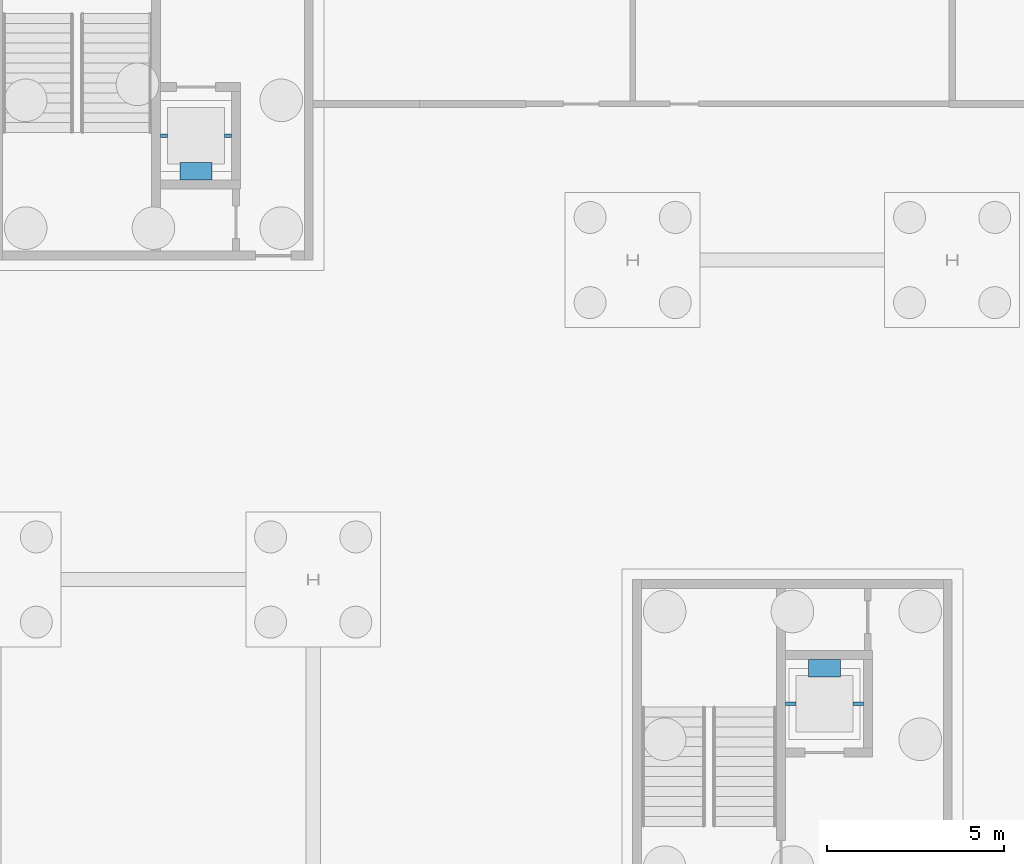
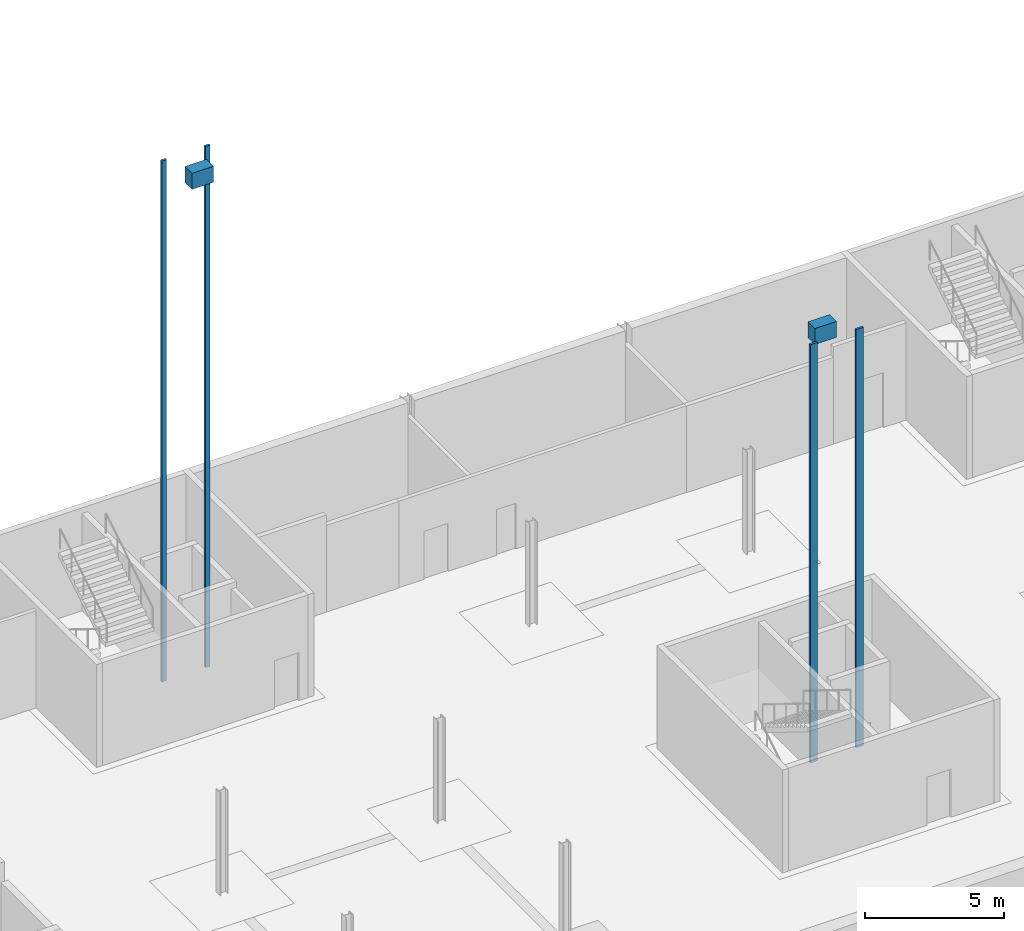
# One storey, part 35 of 41: 6 discrete accessories.
"""IFC4 building model written with IfcOpenShell, lengths in metres."""

from ifc_helpers import new_model, si_unit, direction, frame, origin, origin_2d, place, context, subcontext, project, spatial, rectangle, extrude, material, type_object, element, save


model = new_model("IFC4")

# Units and contexts
model_context = context("Model", 3, precision=1e-05, world=origin(), true_north=direction((0.0, 1.0)))
body_context = subcontext(model_context, "Body", "Model", "MODEL_VIEW")
ifc_project = project(units=[si_unit("LENGTHUNIT", "METRE"), si_unit("AREAUNIT", "SQUARE_METRE"), si_unit("VOLUMEUNIT", "CUBIC_METRE"), si_unit("PLANEANGLEUNIT", "RADIAN"), si_unit("MASSUNIT", "GRAM", prefix="KILO")], contexts=[model_context])

# Site, building, storey
site_placement = place(None, origin())
site = spatial("IfcSite", under=ifc_project, at=site_placement, CompositionType="ELEMENT")
building_placement = place(site_placement, origin())
building = spatial("IfcBuilding", under=site, at=building_placement, Name="Corbel Yard City Hall", CompositionType="ELEMENT")
storey_placement = place(building_placement, frame((0.0, 0.0, -4.5)))
storey = spatial("IfcBuildingStorey", under=building, at=storey_placement, Name="B1", CompositionType="ELEMENT", Elevation=-4.5)

# Discrete accessories
ifc_material = material(Name="Steel Grade G250", Category="steel")
discrete_accessory_type_1 = type_object("IfcDiscreteAccessoryType", Name="LM1", PredefinedType="USERDEFINED", material=ifc_material)
for number, where, z_axis, x_axis, name in (
    (1, (68.699951171875, 110.5, 22.10009765625), (0.0, 0.0, 1.0), (1.0, 0.0, 0.0), "Lift LP16 drive machine"),
    (2, (86.39990234375, 96.5, 17.60009765625), (0.0, 0.0, 1.0), (1.0, 0.0, 0.0), "Lift LP20 drive machine"),
):
    element("IfcDiscreteAccessory", number, at=place(storey_placement, frame(where, z_axis=z_axis, x_axis=x_axis)), inside=storey, type_object=discrete_accessory_type_1, Name=name, ObjectType="LIFT MACHINE", PredefinedType="USERDEFINED", context=body_context, shape_type="SweptSolid", body=[
        extrude(rectangle(XDim=0.89990234375, YDim=0.5, at=origin_2d()), origin(), (0.0, 0.0, 1.0), 0.699951171875),
    ])
discrete_accessory_type_2 = type_object("IfcDiscreteAccessoryType", Name="LR1", PredefinedType="USERDEFINED", material=ifc_material)
for number, where, z_axis, x_axis, name in (
    (3, (67.800048828125, 111.5, 0.0), (0.0, 0.0, 1.0), (1.0, 0.0, 0.0), "Lift LP16 guide rail 1"),
    (4, (69.60009765625, 111.5, 0.0), (0.0, 0.0, 1.0), (1.0, 0.0, 0.0), "Lift LP16 guide rail 2"),
):
    element("IfcDiscreteAccessory", number, at=place(storey_placement, frame(where, z_axis=z_axis, x_axis=x_axis)), inside=storey, type_object=discrete_accessory_type_2, Name=name, ObjectType="GUIDE RAIL", PredefinedType="USERDEFINED", context=body_context, shape_type="SweptSolid", body=[
        extrude(rectangle(XDim=0.199951171875, YDim=0.090087890625, at=origin_2d()), origin(), (0.0, 0.0, 1.0), 22.800048828125),
    ])
for number, where, z_axis, x_axis, name in (
    (5, (85.449951171875, 95.5, 0.0), (0.0, 0.0, 1.0), (1.0, 0.0, 0.0), "Lift LP20 guide rail 1"),
    (6, (87.35009765625, 95.5, 0.0), (0.0, 0.0, 1.0), (1.0, 0.0, 0.0), "Lift LP20 guide rail 2"),
):
    element("IfcDiscreteAccessory", number, at=place(storey_placement, frame(where, z_axis=z_axis, x_axis=x_axis)), inside=storey, type_object=discrete_accessory_type_2, Name=name, ObjectType="GUIDE RAIL", PredefinedType="USERDEFINED", context=body_context, shape_type="SweptSolid", body=[
        extrude(rectangle(XDim=0.300048828125, YDim=0.090087890625, at=origin_2d()), origin(), (0.0, 0.0, 1.0), 18.300048828125),
    ])

save(model, "model.ifc")
